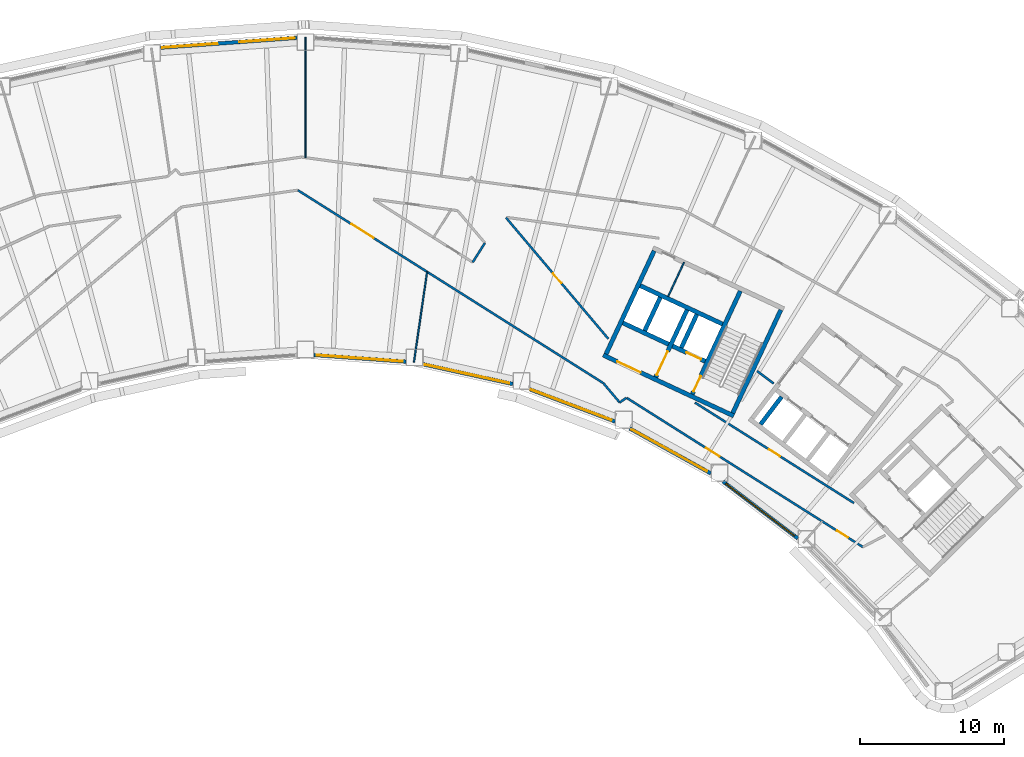
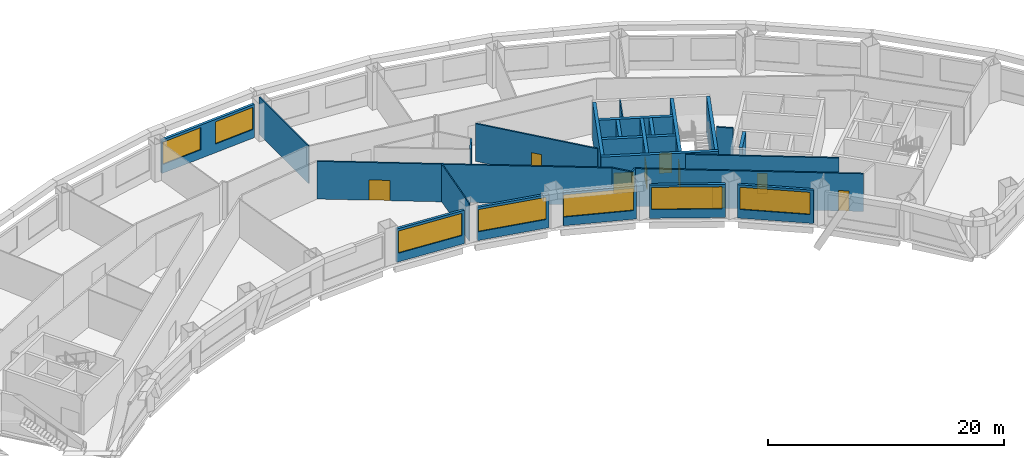
# One storey, part 5 of 10: 28 walls, 9 doors, 7 windows, 16 openings.
"""IFC4 building model written with IfcOpenShell, lengths in metres."""

from ifc_helpers import new_model, si_unit, direction, frame, frame_2d, origin, place, context, subcontext, project, spatial, rectangle, extrude, material, layer, layer_set, type_object, element, fill, save


model = new_model("IFC4")

# Units and contexts
model_context = context("Model", 3, precision=1e-05, world=origin(), true_north=direction((0.0, 1.0)))
body_context = subcontext(model_context, "Body", "Model", "MODEL_VIEW")
ifc_project = project(units=[si_unit("LENGTHUNIT", "METRE"), si_unit("AREAUNIT", "SQUARE_METRE"), si_unit("VOLUMEUNIT", "CUBIC_METRE"), si_unit("PLANEANGLEUNIT", "RADIAN"), si_unit("MASSUNIT", "GRAM", prefix="KILO")], contexts=[model_context])

# Site, building, storey
site_placement = place(None, origin())
site = spatial("IfcSite", under=ifc_project, at=site_placement, CompositionType="ELEMENT")
building_placement = place(site_placement, origin())
building = spatial("IfcBuilding", under=site, at=building_placement, Name="Tuul Gate Civic Tower", CompositionType="ELEMENT")
storey_placement = place(building_placement, frame((0.0, 0.0, 86.39990234375)))
storey = spatial("IfcBuildingStorey", under=building, at=storey_placement, Name="Level 19", CompositionType="ELEMENT", Elevation=86.39990234375)

# Wall, opening, door
ifc_material_1 = material(Name="Concrete C50/60", Category="concrete")
ifc_layer_1 = layer(ifc_material_1, 0.300048828125)
ifc_layer_set_1 = layer_set([ifc_layer_1], Name="Concrete C50/60")
wall_type_1 = type_object("IfcWallType", Name="Core wall C50/60", PredefinedType="SHEAR", material=ifc_layer_set_1)
wall_1_placement = place(storey_placement, frame((34.5283203125, -7.25, 0.0), z_axis=(0.0, 0.0, 1.0), x_axis=(-0.906310338845, 0.422612789327, 0.0)))
wall_1 = element("IfcWall", 1, at=wall_1_placement, inside=storey, type_object=wall_type_1, Name="Core wall", PredefinedType="SHEAR", context=body_context, shape_type="SweptSolid", body=[
    extrude(rectangle(XDim=9.999755859375, YDim=0.300048828125, at=frame_2d((5.0, 0.0))), origin(), (0.0, 0.0, 1.0), 3.900146484375),
])
opening_1_placement = place(wall_1_placement, frame((7.125, 0.0, 0.0)))
opening_1 = element("IfcOpeningElement", 2, at=opening_1_placement, cuts=wall_1, Name="Opening LB-E3-LOBBY-1", PredefinedType="OPENING", context=body_context, shape_type="SweptSolid", body=[
    extrude(rectangle(XDim=1.800048828125, YDim=2.10009765625, at=frame_2d((0.89990234375, 1.050048828125))), frame((0.0, 0.16015625, 0.0), z_axis=(0.0, -1.0, 0.0), x_axis=(1.0, 0.0, 0.0)), (0.0, 0.0, 1.0), 0.320068359375),
])
ifc_material_2 = material(Name="Steel", Category="steel")
door_type_1 = type_object("IfcDoorType", Name="Lobby door", OperationType="DOUBLE_DOOR_SINGLE_SWING", PredefinedType="DOOR", material=ifc_material_2)
door_1_placement = place(opening_1_placement, frame((1.800048828125, 0.0, 0.0), z_axis=(0.0, 0.0, 1.0), x_axis=(-1.0, 0.0, 0.0)))
door_1 = element("IfcDoor", 3, at=door_1_placement, inside=storey, type_object=door_type_1, Name="Lobby door E3-LOBBY", OperationType="DOUBLE_DOOR_SINGLE_SWING", OverallHeight=2.10009765625, OverallWidth=1.800048828125, PredefinedType="DOOR", context=body_context, shape_type="SweptSolid", body=[
    extrude(rectangle(XDim=1.800048828125, YDim=2.10009765625, at=frame_2d((0.900146484375, 1.050048828125))), frame((0.0, 0.02490234375, 0.0), z_axis=(0.0, -1.0, 0.0), x_axis=(1.0, 0.0, 0.0)), (0.0, 0.0, 1.0), 0.050048828125),
])
fill(opening_1, door_1)

wall_2_placement = place(storey_placement, frame((32.545654296875, -3.456787109375, 0.0), z_axis=(0.0, 0.0, 1.0), x_axis=(-0.906300357825, 0.42263419337, 0.0)))
wall_2 = element("IfcWall", 4, at=wall_2_placement, inside=storey, type_object=wall_type_1, Name="Core wall", PredefinedType="SHEAR", context=body_context, shape_type="SweptSolid", body=[
    extrude(rectangle(XDim=2.500244140625, YDim=0.300048828125, at=frame_2d((1.25, 0.0))), origin(), (0.0, 0.0, 1.0), 3.900146484375),
])
opening_2_placement = place(wall_2_placement, frame((0.324951171875, 0.0, 0.0)))
opening_2 = element("IfcOpeningElement", 5, at=opening_2_placement, cuts=wall_2, Name="Opening LD-FF-2", PredefinedType="OPENING", context=body_context, shape_type="SweptSolid", body=[
    extrude(rectangle(XDim=1.10009765625, YDim=2.10009765625, at=frame_2d((0.550048828125, 1.050048828125))), frame((0.0, 0.16015625, 0.0), z_axis=(0.0, -1.0, 0.0), x_axis=(1.0, 0.0, 0.0)), (0.0, 0.0, 1.0), 0.320068359375),
])
ifc_material_3 = material(Name="Stainless steel", Category="steel")
door_type_2 = type_object("IfcDoorType", Name="Landing door", OperationType="DOUBLE_DOOR_SLIDING", PredefinedType="DOOR", material=ifc_material_3)
door_2_placement = place(opening_2_placement, origin())
door_2 = element("IfcDoor", 6, at=door_2_placement, inside=storey, type_object=door_type_2, Name="Fire-fighting lift FF-2 landing door", OperationType="DOUBLE_DOOR_SLIDING", OverallHeight=2.10009765625, OverallWidth=1.10009765625, PredefinedType="DOOR", context=body_context, shape_type="SweptSolid", body=[
    extrude(rectangle(XDim=1.10009765625, YDim=2.10009765625, at=frame_2d((0.550048828125, 1.050048828125))), frame((0.0, 0.02490234375, 0.0), z_axis=(0.0, -1.0, 0.0), x_axis=(1.0, 0.0, 0.0)), (0.0, 0.0, 1.0), 0.050048828125),
])
fill(opening_2, door_2)

# Walls
wall_3_placement = place(storey_placement, frame((30.0078125, -2.2734375, 0.0), z_axis=(0.0, 0.0, 1.0), x_axis=(-0.90630071767, 0.422633421716, 0.0)))
element("IfcWall", 7, at=wall_3_placement, inside=storey, type_object=wall_type_1, Name="Core wall", PredefinedType="SHEAR", context=body_context, shape_type="SweptSolid", body=[
    extrude(rectangle(XDim=3.5, YDim=0.300048828125, at=frame_2d((1.75, 0.0))), origin(), (0.0, 0.0, 1.0), 3.900146484375),
])
wall_4_placement = place(storey_placement, frame((33.75, -0.873779296875, 0.0), z_axis=(0.0, 0.0, 1.0), x_axis=(-0.906300917592, 0.422632992999, 0.0)))
element("IfcWall", 8, at=wall_4_placement, inside=storey, type_object=wall_type_1, Name="Core wall", PredefinedType="SHEAR", context=body_context, shape_type="SweptSolid", body=[
    extrude(rectangle(XDim=6.300048828125, YDim=0.300048828125, at=frame_2d((3.14990234375, 0.0))), origin(), (0.0, 0.0, 1.0), 3.900146484375),
])
wall_5_placement = place(storey_placement, frame((34.455810546875, -7.05078125, 0.0), z_axis=(0.0, 0.0, 1.0), x_axis=(0.422570768258, 0.906329932096, 0.0)))
element("IfcWall", 9, at=wall_5_placement, inside=storey, type_object=wall_type_1, Name="Core wall", PredefinedType="SHEAR", context=body_context, shape_type="SweptSolid", body=[
    extrude(rectangle(XDim=7.900146484375, YDim=0.300048828125, at=frame_2d((3.9501953125, 0.0))), origin(), (0.0, 0.0, 1.0), 3.900146484375),
])

# Wall, opening, door
wall_6_placement = place(storey_placement, frame((31.646240234375, -5.740478515625, 0.0), z_axis=(0.0, 0.0, 1.0), x_axis=(0.422582604137, 0.906324413596, 0.0)))
wall_6 = element("IfcWall", 10, at=wall_6_placement, inside=storey, type_object=wall_type_1, Name="Core wall", PredefinedType="SHEAR", context=body_context, shape_type="SweptSolid", body=[
    extrude(rectangle(XDim=7.89990234375, YDim=0.300048828125, at=frame_2d((3.949951171875, 0.0))), origin(), (0.0, 0.0, 1.0), 3.900146484375),
])
opening_3_placement = place(wall_6_placement, frame((0.199951171875, 0.0, 0.0)))
opening_3 = element("IfcOpeningElement", 11, at=opening_3_placement, cuts=wall_6, Name="Opening SD-ST-4", PredefinedType="OPENING", context=body_context, shape_type="SweptSolid", body=[
    extrude(rectangle(XDim=1.199951171875, YDim=2.10009765625, at=frame_2d((0.60009765625, 1.050048828125))), frame((0.0, 0.16015625, 0.0), z_axis=(0.0, -1.0, 0.0), x_axis=(1.0, 0.0, 0.0)), (0.0, 0.0, 1.0), 0.320068359375),
])
ifc_material_4 = material(Name="Steel", Category="steel")
door_type_3 = type_object("IfcDoorType", Name="Stair door", OperationType="NOTDEFINED", PredefinedType="DOOR", material=ifc_material_4)
door_3_placement = place(opening_3_placement, origin())
door_3 = element("IfcDoor", 12, at=door_3_placement, inside=storey, type_object=door_type_3, Name="Stair door ST-4", OperationType="SINGLE_SWING_LEFT", OverallHeight=2.10009765625, OverallWidth=1.199951171875, PredefinedType="DOOR", context=body_context, shape_type="SweptSolid", body=[
    extrude(rectangle(XDim=1.199951171875, YDim=2.10009765625, at=frame_2d((0.60009765625, 1.050048828125))), frame((0.0, 0.02490234375, 0.0), z_axis=(0.0, -1.0, 0.0), x_axis=(1.0, 0.0, 0.0)), (0.0, 0.0, 1.0), 0.050048828125),
])
fill(opening_3, door_3)

# Wall
wall_7_placement = place(storey_placement, frame((30.886962890625, -2.517822265625, 0.0), z_axis=(0.0, 0.0, 1.0), x_axis=(0.422612891016, 0.906310291427, 0.0)))
element("IfcWall", 13, at=wall_7_placement, inside=storey, type_object=wall_type_1, Name="Core wall", PredefinedType="SHEAR", context=body_context, shape_type="SweptSolid", body=[
    extrude(rectangle(XDim=2.550048828125, YDim=0.300048828125, at=frame_2d((1.27490234375, 0.0))), origin(), (0.0, 0.0, 1.0), 3.900146484375),
])

# Wall, opening, door
wall_8_placement = place(storey_placement, frame((29.108642578125, -4.557373046875, 0.0), z_axis=(0.0, 0.0, 1.0), x_axis=(0.422566235356, 0.90633204552, 0.0)))
wall_8 = element("IfcWall", 14, at=wall_8_placement, inside=storey, type_object=wall_type_1, Name="Core wall", PredefinedType="SHEAR", context=body_context, shape_type="SweptSolid", body=[
    extrude(rectangle(XDim=5.150146484375, YDim=0.300048828125, at=frame_2d((2.5751953125, 0.0))), origin(), (0.0, 0.0, 1.0), 3.900146484375),
])
opening_4_placement = place(wall_8_placement, frame((0.175048828125, 0.0, 0.0)))
opening_4 = element("IfcOpeningElement", 15, at=opening_4_placement, cuts=wall_8, Name="Opening LB-E3-FLOBBY-1", PredefinedType="OPENING", context=body_context, shape_type="SweptSolid", body=[
    extrude(rectangle(XDim=1.800048828125, YDim=2.10009765625, at=frame_2d((0.89990234375, 1.050048828125))), frame((0.0, 0.16015625, 0.0), z_axis=(0.0, -1.0, 0.0), x_axis=(1.0, 0.0, 0.0)), (0.0, 0.0, 1.0), 0.320068359375),
])
door_4_placement = place(opening_4_placement, frame((1.800048828125, 0.0, 0.0), z_axis=(0.0, 0.0, 1.0), x_axis=(-1.0, 0.0, 0.0)))
door_4 = element("IfcDoor", 16, at=door_4_placement, inside=storey, type_object=door_type_1, Name="Lobby door E3-FLOBBY", OperationType="DOUBLE_DOOR_SINGLE_SWING", OverallHeight=2.10009765625, OverallWidth=1.800048828125, PredefinedType="DOOR", context=body_context, shape_type="SweptSolid", body=[
    extrude(rectangle(XDim=1.800048828125, YDim=2.10009765625, at=frame_2d((0.900146484375, 1.050048828125))), frame((0.0, 0.02490234375, 0.0), z_axis=(0.0, -1.0, 0.0), x_axis=(1.0, 0.0, 0.0)), (0.0, 0.0, 1.0), 0.050048828125),
])
fill(opening_4, door_4)

# Walls
wall_9_placement = place(storey_placement, frame((28.349365234375, -1.33447265625, 0.0), z_axis=(0.0, 0.0, 1.0), x_axis=(0.422612891016, 0.906310291427, 0.0)))
element("IfcWall", 17, at=wall_9_placement, inside=storey, type_object=wall_type_1, Name="Core wall", PredefinedType="SHEAR", context=body_context, shape_type="SweptSolid", body=[
    extrude(rectangle(XDim=2.550048828125, YDim=0.300048828125, at=frame_2d((1.27490234375, 0.0))), origin(), (0.0, 0.0, 1.0), 3.900146484375),
])
wall_10_placement = place(storey_placement, frame((25.66455078125, -2.951416015625, 0.0), z_axis=(0.0, 0.0, 1.0), x_axis=(0.422582604137, 0.906324413596, 0.0)))
element("IfcWall", 18, at=wall_10_placement, inside=storey, type_object=wall_type_1, Name="Core wall", PredefinedType="SHEAR", context=body_context, shape_type="SweptSolid", body=[
    extrude(rectangle(XDim=7.89990234375, YDim=0.300048828125, at=frame_2d((3.949951171875, 0.0))), origin(), (0.0, 0.0, 1.0), 3.900146484375),
])

# Wall, opening, door
ifc_material_5 = material(Name="Gypsum board partition")
ifc_layer_2 = layer(ifc_material_5, 0.14990234375)
ifc_layer_set_2 = layer_set([ifc_layer_2], Name="Gypsum board partition")
wall_type_2 = type_object("IfcWallType", Name="Corridor wall P150", PredefinedType="PARTITIONING", material=ifc_layer_set_2)
wall_11_placement = place(storey_placement, frame((18.71923828125, 6.51220703125, 0.0), z_axis=(0.0, 0.0, 1.0), x_axis=(0.645325771853, -0.763907486665, 0.0)))
wall_11 = element("IfcWall", 19, at=wall_11_placement, inside=storey, type_object=wall_type_2, Name="p016", PredefinedType="PARTITIONING", context=body_context, shape_type="SweptSolid", body=[
    extrude(rectangle(XDim=11.0107421875, YDim=0.14990234375, at=frame_2d((5.50537109375, 0.0))), origin(), (0.0, 0.0, 1.0), 3.900146484375),
])
opening_5_placement = place(wall_11_placement, frame((5.055419921875, 0.0, 0.0)))
opening_5 = element("IfcOpeningElement", 20, at=opening_5_placement, cuts=wall_11, Name="Opening F-D19", PredefinedType="OPENING", context=body_context, shape_type="SweptSolid", body=[
    extrude(rectangle(XDim=0.89990234375, YDim=2.10009765625, at=frame_2d((0.449951171875, 1.050048828125))), frame((0.0, 0.0849609375, 0.0), z_axis=(0.0, -1.0, 0.0), x_axis=(1.0, 0.0, 0.0)), (0.0, 0.0, 1.0), 0.169921875),
])
ifc_material_6 = material(Name="Timber door leaf", Category="wood")
door_type_4 = type_object("IfcDoorType", Name="Door D09", OperationType="NOTDEFINED", PredefinedType="DOOR", material=ifc_material_6)
door_5_placement = place(opening_5_placement, origin())
door_5 = element("IfcDoor", 21, at=door_5_placement, inside=storey, type_object=door_type_4, Name="Door F-D19", OperationType="SINGLE_SWING_RIGHT", OverallHeight=2.10009765625, OverallWidth=0.89990234375, PredefinedType="DOOR", context=body_context, shape_type="SweptSolid", body=[
    extrude(rectangle(XDim=0.89990234375, YDim=2.10009765625, at=frame_2d((0.449951171875, 1.050048828125))), frame((0.0, 0.02490234375, 0.0), z_axis=(0.0, -1.0, 0.0), x_axis=(1.0, 0.0, 0.0)), (0.0, 0.0, 1.0), 0.050048828125),
])
fill(opening_5, door_5)

wall_12_placement = place(storey_placement, frame((4.27490234375, 8.418212890625, 0.0), z_axis=(0.0, 0.0, 1.0), x_axis=(0.845516906365, -0.5339486502, 0.0)))
wall_12 = element("IfcWall", 22, at=wall_12_placement, inside=storey, type_object=wall_type_2, Name="p036", PredefinedType="PARTITIONING", context=body_context, shape_type="SweptSolid", body=[
    extrude(rectangle(XDim=25.066162109375, YDim=0.14990234375, at=frame_2d((12.533203125, 0.0))), origin(), (0.0, 0.0, 1.0), 3.900146484375),
])
opening_6_placement = place(wall_12_placement, frame((4.405517578125, 0.0, 0.0)))
opening_6 = element("IfcOpeningElement", 23, at=opening_6_placement, cuts=wall_12, Name="Opening F-D14", PredefinedType="OPENING", context=body_context, shape_type="SweptSolid", body=[
    extrude(rectangle(XDim=1.800048828125, YDim=2.10009765625, at=frame_2d((0.89990234375, 1.050048828125))), frame((0.0, 0.0849609375, 0.0), z_axis=(0.0, -1.0, 0.0), x_axis=(1.0, 0.0, 0.0)), (0.0, 0.0, 1.0), 0.169921875),
])
ifc_material_7 = material(Name="Timber door leaf, double", Category="wood")
door_type_5 = type_object("IfcDoorType", Name="Door D18", OperationType="DOUBLE_DOOR_SINGLE_SWING", PredefinedType="DOOR", material=ifc_material_7)
door_6_placement = place(opening_6_placement, frame((1.800048828125, 0.0, 0.0), z_axis=(0.0, 0.0, 1.0), x_axis=(-1.0, 0.0, 0.0)))
door_6 = element("IfcDoor", 24, at=door_6_placement, inside=storey, type_object=door_type_5, Name="Door F-D14", OperationType="DOUBLE_DOOR_SINGLE_SWING", OverallHeight=2.10009765625, OverallWidth=1.800048828125, PredefinedType="DOOR", context=body_context, shape_type="SweptSolid", body=[
    extrude(rectangle(XDim=1.800048828125, YDim=2.10009765625, at=frame_2d((0.900146484375, 1.050048828125))), frame((0.0, 0.02490234375, 0.0), z_axis=(0.0, -1.0, 0.0), x_axis=(1.0, 0.0, 0.0)), (0.0, 0.0, 1.0), 0.050048828125),
])
fill(opening_6, door_6)

# Wall, openings, doors
wall_13_placement = place(storey_placement, frame((27.0966796875, -5.993896484375, 0.0), z_axis=(0.0, 0.0, 1.0), x_axis=(0.845518831445, -0.533945601791, 0.0)))
wall_13 = element("IfcWall", 25, at=wall_13_placement, inside=storey, type_object=wall_type_2, Name="p037", PredefinedType="PARTITIONING", context=body_context, shape_type="SweptSolid", body=[
    extrude(rectangle(XDim=19.38330078125, YDim=0.14990234375, at=frame_2d((9.691650390625, 0.0))), origin(), (0.0, 0.0, 1.0), 3.900146484375),
])
opening_7_placement = place(wall_13_placement, frame((17.2646484375, 0.0, 0.0)))
opening_7 = element("IfcOpeningElement", 26, at=opening_7_placement, cuts=wall_13, Name="Opening F-D12", PredefinedType="OPENING", context=body_context, shape_type="SweptSolid", body=[
    extrude(rectangle(XDim=0.89990234375, YDim=2.10009765625, at=frame_2d((0.449951171875, 1.050048828125))), frame((0.0, 0.0849609375, 0.0), z_axis=(0.0, -1.0, 0.0), x_axis=(1.0, 0.0, 0.0)), (0.0, 0.0, 1.0), 0.169921875),
])
opening_8_placement = place(wall_13_placement, frame((6.52294921875, 0.0, 0.0)))
opening_8 = element("IfcOpeningElement", 27, at=opening_8_placement, cuts=wall_13, Name="Opening F-D13", PredefinedType="OPENING", context=body_context, shape_type="SweptSolid", body=[
    extrude(rectangle(XDim=1.10009765625, YDim=2.10009765625, at=frame_2d((0.550048828125, 1.050048828125))), frame((0.0, 0.0849609375, 0.0), z_axis=(0.0, -1.0, 0.0), x_axis=(1.0, 0.0, 0.0)), (0.0, 0.0, 1.0), 0.169921875),
])
door_7_placement = place(opening_7_placement, frame((0.89990234375, 0.0, 0.0), z_axis=(0.0, 0.0, 1.0), x_axis=(-1.0, 0.0, 0.0)))
door_7 = element("IfcDoor", 28, at=door_7_placement, inside=storey, type_object=door_type_4, Name="Door F-D12", OperationType="SINGLE_SWING_RIGHT", OverallHeight=2.10009765625, OverallWidth=0.89990234375, PredefinedType="DOOR", context=body_context, shape_type="SweptSolid", body=[
    extrude(rectangle(XDim=0.89990234375, YDim=2.10009765625, at=frame_2d((0.449951171875, 1.050048828125))), frame((0.0, 0.02490234375, 0.0), z_axis=(0.0, -1.0, 0.0), x_axis=(1.0, 0.0, 0.0)), (0.0, 0.0, 1.0), 0.050048828125),
])
fill(opening_7, door_7)
ifc_material_8 = material(Name="Timber door leaf", Category="wood")
door_type_6 = type_object("IfcDoorType", Name="Door D11", OperationType="NOTDEFINED", PredefinedType="DOOR", material=ifc_material_8)
door_8_placement = place(opening_8_placement, origin())
door_8 = element("IfcDoor", 29, at=door_8_placement, inside=storey, type_object=door_type_6, Name="Door F-D13", OperationType="SINGLE_SWING_RIGHT", OverallHeight=2.10009765625, OverallWidth=1.10009765625, PredefinedType="DOOR", context=body_context, shape_type="SweptSolid", body=[
    extrude(rectangle(XDim=1.10009765625, YDim=2.10009765625, at=frame_2d((0.550048828125, 1.050048828125))), frame((0.0, 0.02490234375, 0.0), z_axis=(0.0, -1.0, 0.0), x_axis=(1.0, 0.0, 0.0)), (0.0, 0.0, 1.0), 0.050048828125),
])
fill(opening_8, door_8)

# Walls
wall_14_placement = place(storey_placement, frame((25.473388671875, -4.969970703125, 0.0), z_axis=(0.0, 0.0, 1.0), x_axis=(0.645326532982, -0.763906843685, 0.0)))
element("IfcWall", 30, at=wall_14_placement, inside=storey, type_object=wall_type_2, Name="p040", PredefinedType="PARTITIONING", context=body_context, shape_type="SweptSolid", body=[
    extrude(rectangle(XDim=1.76025390625, YDim=0.14990234375, at=frame_2d((0.880126953125, 0.0))), origin(), (0.0, 0.0, 1.0), 3.900146484375),
])
wall_15_placement = place(storey_placement, frame((26.610107421875, -6.314697265625, 0.0), z_axis=(0.0, 0.0, 1.0), x_axis=(0.823296444499, 0.56761163173, 0.0)))
element("IfcWall", 31, at=wall_15_placement, inside=storey, type_object=wall_type_2, Name="p041", PredefinedType="PARTITIONING", context=body_context, shape_type="SweptSolid", body=[
    extrude(rectangle(XDim=0.564208984375, YDim=0.14990234375, at=frame_2d((0.2822265625, 0.0))), origin(), (0.0, 0.0, 1.0), 3.900146484375),
])
wall_16_placement = place(storey_placement, frame((16.41162109375, 3.414794921875, 0.0), z_axis=(0.0, 0.0, 1.0), x_axis=(0.533882906969, 0.845558420008, 0.0)))
element("IfcWall", 32, at=wall_16_placement, inside=storey, type_object=wall_type_2, Name="p050", PredefinedType="PARTITIONING", context=body_context, shape_type="SweptSolid", body=[
    extrude(rectangle(XDim=1.58544921875, YDim=0.14990234375, at=frame_2d((0.792724609375, 0.0))), origin(), (0.0, 0.0, 1.0), 3.900146484375),
])

# Wall, opening, door
wall_17_placement = place(storey_placement, frame((31.836181640625, -6.32568359375, 0.0), z_axis=(0.0, 0.0, 1.0), x_axis=(0.845516019535, -0.533950054509, 0.0)))
wall_17 = element("IfcWall", 33, at=wall_17_placement, inside=storey, type_object=wall_type_2, Name="p052", PredefinedType="PARTITIONING", context=body_context, shape_type="SweptSolid", body=[
    extrude(rectangle(XDim=13.050048828125, YDim=0.14990234375, at=frame_2d((6.52490234375, 0.0))), origin(), (0.0, 0.0, 1.0), 3.900146484375),
])
opening_9_placement = place(wall_17_placement, frame((6.074951171875, 0.0, 0.0)))
opening_9 = element("IfcOpeningElement", 34, at=opening_9_placement, cuts=wall_17, Name="Opening F-D18", PredefinedType="OPENING", context=body_context, shape_type="SweptSolid", body=[
    extrude(rectangle(XDim=0.89990234375, YDim=2.10009765625, at=frame_2d((0.449951171875, 1.050048828125))), frame((0.0, 0.0849609375, 0.0), z_axis=(0.0, -1.0, 0.0), x_axis=(1.0, 0.0, 0.0)), (0.0, 0.0, 1.0), 0.169921875),
])
door_9_placement = place(opening_9_placement, frame((0.89990234375, 0.0, 0.0), z_axis=(0.0, 0.0, 1.0), x_axis=(-1.0, 0.0, 0.0)))
door_9 = element("IfcDoor", 35, at=door_9_placement, inside=storey, type_object=door_type_4, Name="Door F-D18", OperationType="SINGLE_SWING_LEFT", OverallHeight=2.10009765625, OverallWidth=0.89990234375, PredefinedType="DOOR", context=body_context, shape_type="SweptSolid", body=[
    extrude(rectangle(XDim=0.89990234375, YDim=2.10009765625, at=frame_2d((0.449951171875, 1.050048828125))), frame((0.0, 0.02490234375, 0.0), z_axis=(0.0, -1.0, 0.0), x_axis=(1.0, 0.0, 0.0)), (0.0, 0.0, 1.0), 0.050048828125),
])
fill(opening_9, door_9)

# Wall
wall_18_placement = place(storey_placement, frame((36.147705078125, -4.13330078125, 0.0), z_axis=(0.0, 0.0, 1.0), x_axis=(0.798976694108, -0.601361989382, 0.0)))
element("IfcWall", 36, at=wall_18_placement, inside=storey, type_object=wall_type_2, Name="p054", PredefinedType="PARTITIONING", context=body_context, shape_type="SweptSolid", body=[
    extrude(rectangle(XDim=1.43310546875, YDim=0.14990234375, at=frame_2d((0.716552734375, 0.0))), origin(), (0.0, 0.0, 1.0), 3.900146484375),
])

# Wall, openings, windows
ifc_material_9 = material(Name="Precast concrete C40/50", Category="concrete")
ifc_layer_3 = layer(ifc_material_9, 0.25)
ifc_layer_set_3 = layer_set([ifc_layer_3], Name="Precast concrete C40/50")
wall_type_3 = type_object("IfcWallType", Name="External wall", PredefinedType="STANDARD", material=ifc_layer_set_3)
wall_19_placement = place(storey_placement, frame((4.2080078125, 18.9892578125, 0.0), z_axis=(0.0, 0.0, 1.0), x_axis=(-0.997387702814, -0.072234135106, 0.0)))
wall_19 = element("IfcWall", 37, at=wall_19_placement, inside=storey, type_object=wall_type_3, Name="External wall", PredefinedType="STANDARD", context=body_context, shape_type="SweptSolid", body=[
    extrude(rectangle(XDim=9.4736328125, YDim=0.25, at=frame_2d((4.73681640625, 0.0))), origin(), (0.0, 0.0, 1.0), 3.4501953125),
])
opening_10_placement = place(wall_19_placement, frame((0.14990234375, 0.0, 0.89990234375)))
opening_10 = element("IfcOpeningElement", 38, at=opening_10_placement, cuts=wall_19, Name="Opening W22", PredefinedType="OPENING", context=body_context, shape_type="SweptSolid", body=[
    extrude(rectangle(XDim=3.85009765625, YDim=2.300048828125, at=frame_2d((1.925048828125, 1.14990234375))), frame((0.0, 0.135009765625, 0.0), z_axis=(0.0, -1.0, 0.0), x_axis=(1.0, 0.0, 0.0)), (0.0, 0.0, 1.0), 0.27001953125),
])
opening_11_placement = place(wall_19_placement, frame((5.52099609375, 0.0, 0.89990234375)))
opening_11 = element("IfcOpeningElement", 39, at=opening_11_placement, cuts=wall_19, Name="Opening W22", PredefinedType="OPENING", context=body_context, shape_type="SweptSolid", body=[
    extrude(rectangle(XDim=3.85009765625, YDim=2.300048828125, at=frame_2d((1.925048828125, 1.14990234375))), frame((0.0, 0.135009765625, 0.0), z_axis=(0.0, -1.0, 0.0), x_axis=(1.0, 0.0, 0.0)), (0.0, 0.0, 1.0), 0.27001953125),
])
ifc_material_10 = material(Name="Glass", Category="glass")
window_type_1 = type_object("IfcWindowType", Name="Window W22 3850 x 2300", PartitioningType="SINGLE_PANEL", PredefinedType="WINDOW", material=ifc_material_10)
window_1_placement = place(opening_10_placement, origin())
window_1 = element("IfcWindow", 40, at=window_1_placement, inside=storey, type_object=window_type_1, Name="Window", OverallHeight=2.300048828125, OverallWidth=3.85009765625, PartitioningType="SINGLE_PANEL", PredefinedType="WINDOW", context=body_context, shape_type="SweptSolid", body=[
    extrude(rectangle(XDim=3.85009765625, YDim=2.300048828125, at=frame_2d((1.925048828125, 1.14990234375))), frame((0.0, 0.030029296875, 0.0), z_axis=(0.0, -1.0, 0.0), x_axis=(1.0, 0.0, 0.0)), (0.0, 0.0, 1.0), 0.06005859375),
])
fill(opening_10, window_1)
window_2_placement = place(opening_11_placement, origin())
window_2 = element("IfcWindow", 41, at=window_2_placement, inside=storey, type_object=window_type_1, Name="Window", OverallHeight=2.300048828125, OverallWidth=3.85009765625, PartitioningType="SINGLE_PANEL", PredefinedType="WINDOW", context=body_context, shape_type="SweptSolid", body=[
    extrude(rectangle(XDim=3.85009765625, YDim=2.300048828125, at=frame_2d((1.925048828125, 1.14990234375))), frame((0.0, 0.030029296875, 0.0), z_axis=(0.0, -1.0, 0.0), x_axis=(1.0, 0.0, 0.0)), (0.0, 0.0, 1.0), 0.06005859375),
])
fill(opening_11, window_2)

# Wall, opening, window
wall_20_placement = place(storey_placement, frame((5.407958984375, -3.01806640625, 0.0), z_axis=(0.0, 0.0, 1.0), x_axis=(0.997382879348, -0.072300705277, 0.0)))
wall_20 = element("IfcWall", 42, at=wall_20_placement, inside=storey, type_object=wall_type_3, Name="External wall", PredefinedType="STANDARD", context=body_context, shape_type="SweptSolid", body=[
    extrude(rectangle(XDim=6.388671875, YDim=0.25, at=frame_2d((3.1943359375, 0.0))), origin(), (0.0, 0.0, 1.0), 3.4501953125),
])
opening_12_placement = place(wall_20_placement, frame((0.1708984375, 0.0, 0.89990234375)))
opening_12 = element("IfcOpeningElement", 43, at=opening_12_placement, cuts=wall_20, Name="Opening W26", PredefinedType="OPENING", context=body_context, shape_type="SweptSolid", body=[
    extrude(rectangle(XDim=6.0, YDim=2.300048828125, at=frame_2d((3.0, 1.14990234375))), frame((0.0, 0.135009765625, 0.0), z_axis=(0.0, -1.0, 0.0), x_axis=(1.0, 0.0, 0.0)), (0.0, 0.0, 1.0), 0.27001953125),
])
ifc_material_11 = material(Name="Glass", Category="glass")
window_type_2 = type_object("IfcWindowType", Name="Window W26 6000 x 2300", PartitioningType="SINGLE_PANEL", PredefinedType="WINDOW", material=ifc_material_11)
window_3_placement = place(opening_12_placement, origin())
window_3 = element("IfcWindow", 44, at=window_3_placement, inside=storey, type_object=window_type_2, Name="Window", OverallHeight=2.300048828125, OverallWidth=6.0, PartitioningType="SINGLE_PANEL", PredefinedType="WINDOW", context=body_context, shape_type="SweptSolid", body=[
    extrude(rectangle(XDim=6.0, YDim=2.300048828125, at=frame_2d((3.0, 1.14990234375))), frame((0.0, 0.030029296875, 0.0), z_axis=(0.0, -1.0, 0.0), x_axis=(1.0, 0.0, 0.0)), (0.0, 0.0, 1.0), 0.06005859375),
])
fill(opening_12, window_3)

wall_21_placement = place(storey_placement, frame((12.97998046875, -3.66259765625, 0.0), z_axis=(0.0, 0.0, 1.0), x_axis=(0.97656114485, -0.215240169041, 0.0)))
wall_21 = element("IfcWall", 45, at=wall_21_placement, inside=storey, type_object=wall_type_3, Name="External wall", PredefinedType="STANDARD", context=body_context, shape_type="SweptSolid", body=[
    extrude(rectangle(XDim=6.36328125, YDim=0.25, at=frame_2d((3.181640625, 0.0))), origin(), (0.0, 0.0, 1.0), 3.4501953125),
])
opening_13_placement = place(wall_21_placement, frame((0.10986328125, 0.0, 0.89990234375)))
opening_13 = element("IfcOpeningElement", 46, at=opening_13_placement, cuts=wall_21, Name="Opening W26", PredefinedType="OPENING", context=body_context, shape_type="SweptSolid", body=[
    extrude(rectangle(XDim=6.0, YDim=2.300048828125, at=frame_2d((3.0, 1.14990234375))), frame((0.0, 0.135009765625, 0.0), z_axis=(0.0, -1.0, 0.0), x_axis=(1.0, 0.0, 0.0)), (0.0, 0.0, 1.0), 0.27001953125),
])
window_4_placement = place(opening_13_placement, origin())
window_4 = element("IfcWindow", 47, at=window_4_placement, inside=storey, type_object=window_type_2, Name="Window", OverallHeight=2.300048828125, OverallWidth=6.0, PartitioningType="SINGLE_PANEL", PredefinedType="WINDOW", context=body_context, shape_type="SweptSolid", body=[
    extrude(rectangle(XDim=6.0, YDim=2.300048828125, at=frame_2d((3.0, 1.14990234375))), frame((0.0, 0.030029296875, 0.0), z_axis=(0.0, -1.0, 0.0), x_axis=(1.0, 0.0, 0.0)), (0.0, 0.0, 1.0), 0.06005859375),
])
fill(opening_13, window_4)

wall_22_placement = place(storey_placement, frame((20.39404296875, -5.406005859375, 0.0), z_axis=(0.0, 0.0, 1.0), x_axis=(0.935355477431, -0.353709104829, 0.0)))
wall_22 = element("IfcWall", 48, at=wall_22_placement, inside=storey, type_object=wall_type_3, Name="External wall", PredefinedType="STANDARD", context=body_context, shape_type="SweptSolid", body=[
    extrude(rectangle(XDim=6.30859375, YDim=0.25, at=frame_2d((3.154296875, 0.0))), origin(), (0.0, 0.0, 1.0), 3.4501953125),
])
opening_14_placement = place(wall_22_placement, frame((0.03125, 0.0, 0.89990234375)))
opening_14 = element("IfcOpeningElement", 49, at=opening_14_placement, cuts=wall_22, Name="Opening W26", PredefinedType="OPENING", context=body_context, shape_type="SweptSolid", body=[
    extrude(rectangle(XDim=6.0, YDim=2.300048828125, at=frame_2d((3.0, 1.14990234375))), frame((0.0, 0.135009765625, 0.0), z_axis=(0.0, -1.0, 0.0), x_axis=(1.0, 0.0, 0.0)), (0.0, 0.0, 1.0), 0.27001953125),
])
window_5_placement = place(opening_14_placement, origin())
window_5 = element("IfcWindow", 50, at=window_5_placement, inside=storey, type_object=window_type_2, Name="Window", OverallHeight=2.300048828125, OverallWidth=6.0, PartitioningType="SINGLE_PANEL", PredefinedType="WINDOW", context=body_context, shape_type="SweptSolid", body=[
    extrude(rectangle(XDim=6.0, YDim=2.300048828125, at=frame_2d((3.0, 1.14990234375))), frame((0.0, 0.030029296875, 0.0), z_axis=(0.0, -1.0, 0.0), x_axis=(1.0, 0.0, 0.0)), (0.0, 0.0, 1.0), 0.06005859375),
])
fill(opening_14, window_5)

wall_23_placement = place(storey_placement, frame((27.307373046875, -8.116943359375, 0.0), z_axis=(0.0, 0.0, 1.0), x_axis=(0.874625787744, -0.484798650384, 0.0)))
wall_23 = element("IfcWall", 51, at=wall_23_placement, inside=storey, type_object=wall_type_3, Name="External wall", PredefinedType="STANDARD", context=body_context, shape_type="SweptSolid", body=[
    extrude(rectangle(XDim=6.434326171875, YDim=0.25, at=frame_2d((3.21728515625, 0.0))), origin(), (0.0, 0.0, 1.0), 3.4501953125),
])
opening_15_placement = place(wall_23_placement, frame((0.143798828125, 0.0, 0.89990234375)))
opening_15 = element("IfcOpeningElement", 52, at=opening_15_placement, cuts=wall_23, Name="Opening W26", PredefinedType="OPENING", context=body_context, shape_type="SweptSolid", body=[
    extrude(rectangle(XDim=6.0, YDim=2.300048828125, at=frame_2d((3.0, 1.14990234375))), frame((0.0, 0.135009765625, 0.0), z_axis=(0.0, -1.0, 0.0), x_axis=(1.0, 0.0, 0.0)), (0.0, 0.0, 1.0), 0.27001953125),
])
window_6_placement = place(opening_15_placement, origin())
window_6 = element("IfcWindow", 53, at=window_6_placement, inside=storey, type_object=window_type_2, Name="Window", OverallHeight=2.300048828125, OverallWidth=6.0, PartitioningType="SINGLE_PANEL", PredefinedType="WINDOW", context=body_context, shape_type="SweptSolid", body=[
    extrude(rectangle(XDim=6.0, YDim=2.300048828125, at=frame_2d((3.0, 1.14990234375))), frame((0.0, 0.030029296875, 0.0), z_axis=(0.0, -1.0, 0.0), x_axis=(1.0, 0.0, 0.0)), (0.0, 0.0, 1.0), 0.06005859375),
])
fill(opening_15, window_6)

wall_24_placement = place(storey_placement, frame((33.785888671875, -11.797119140625, 0.0), z_axis=(0.0, 0.0, 1.0), x_axis=(0.795581202254, -0.605846969639, 0.0)))
wall_24 = element("IfcWall", 54, at=wall_24_placement, inside=storey, type_object=wall_type_3, Name="External wall", PredefinedType="STANDARD", context=body_context, shape_type="SweptSolid", body=[
    extrude(rectangle(XDim=6.5224609375, YDim=0.25, at=frame_2d((3.26123046875, 0.0))), origin(), (0.0, 0.0, 1.0), 3.4501953125),
])
opening_16_placement = place(wall_24_placement, frame((0.232666015625, 0.0, 0.89990234375)))
opening_16 = element("IfcOpeningElement", 55, at=opening_16_placement, cuts=wall_24, Name="Opening W26", PredefinedType="OPENING", context=body_context, shape_type="SweptSolid", body=[
    extrude(rectangle(XDim=6.0, YDim=2.300048828125, at=frame_2d((3.0, 1.14990234375))), frame((0.0, 0.135009765625, 0.0), z_axis=(0.0, -1.0, 0.0), x_axis=(1.0, 0.0, 0.0)), (0.0, 0.0, 1.0), 0.27001953125),
])
window_7_placement = place(opening_16_placement, origin())
window_7 = element("IfcWindow", 56, at=window_7_placement, inside=storey, type_object=window_type_2, Name="Window", OverallHeight=2.300048828125, OverallWidth=6.0, PartitioningType="SINGLE_PANEL", PredefinedType="WINDOW", context=body_context, shape_type="SweptSolid", body=[
    extrude(rectangle(XDim=6.0, YDim=2.300048828125, at=frame_2d((3.0, 1.14990234375))), frame((0.0, 0.030029296875, 0.0), z_axis=(0.0, -1.0, 0.0), x_axis=(1.0, 0.0, 0.0)), (0.0, 0.0, 1.0), 0.06005859375),
])
fill(opening_16, window_7)

# Walls
ifc_material_12 = material(Name="Concrete C40/50", Category="concrete")
ifc_layer_4 = layer(ifc_material_12, 0.300048828125)
ifc_layer_set_4 = layer_set([ifc_layer_4], Name="Concrete C40/50")
wall_type_4 = type_object("IfcWallType", Name="Lift shaft wall C40/50", PredefinedType="STANDARD", material=ifc_layer_set_4)
wall_25_placement = place(storey_placement, frame((36.389892578125, -7.832275390625, 0.0), z_axis=(0.0, 0.0, 1.0), x_axis=(0.605745892068, 0.79565816419, 0.0)))
element("IfcWall", 57, at=wall_25_placement, inside=storey, type_object=wall_type_4, Name="Shaft wall", PredefinedType="STANDARD", context=body_context, shape_type="SweptSolid", body=[
    extrude(rectangle(XDim=2.400146484375, YDim=0.300048828125, at=frame_2d((1.2001953125, 0.0))), origin(), (0.0, 0.0, 1.0), 3.900146484375),
])
ifc_material_13 = material(Name="Gypsum board partition")
ifc_layer_5 = layer(ifc_material_13, 0.10009765625)
ifc_layer_set_5 = layer_set([ifc_layer_5], Name="Gypsum board partition")
wall_type_5 = type_object("IfcWallType", Name="Partition P100", PredefinedType="PARTITIONING", material=ifc_layer_set_5)
wall_26_placement = place(storey_placement, frame((12.33251953125, -3.52490234375, 0.0), z_axis=(0.0, 0.0, 1.0), x_axis=(0.144093341329, 0.989564100493, 0.0)))
element("IfcWall", 58, at=wall_26_placement, inside=storey, type_object=wall_type_5, Name="p013", PredefinedType="PARTITIONING", context=body_context, shape_type="SweptSolid", body=[
    extrude(rectangle(XDim=6.343505859375, YDim=0.10009765625, at=frame_2d((3.171875, 0.0))), origin(), (0.0, 0.0, 1.0), 3.900146484375),
])
wall_27_placement = place(storey_placement, frame((4.808349609375, 10.676513671875, 0.0), z_axis=(0.0, 0.0, 1.0), x_axis=(0.0, 1.0, 0.0)))
element("IfcWall", 59, at=wall_27_placement, inside=storey, type_object=wall_type_5, Name="p018", PredefinedType="PARTITIONING", context=body_context, shape_type="SweptSolid", body=[
    extrude(rectangle(XDim=8.361083984375, YDim=0.10009765625, at=frame_2d((4.1806640625, 0.0))), origin(), (0.0, 0.0, 1.0), 3.900146484375),
])
wall_28_placement = place(storey_placement, frame((29.972900390625, 1.052978515625, 0.0), z_axis=(0.0, 0.0, 1.0), x_axis=(0.422556439746, 0.906336612539, 0.0)))
element("IfcWall", 60, at=wall_28_placement, inside=storey, type_object=wall_type_5, Name="bE3-BAND-0", PredefinedType="PARTITIONING", context=body_context, shape_type="SweptSolid", body=[
    extrude(rectangle(XDim=2.599853515625, YDim=0.10009765625, at=frame_2d((1.2998046875, 0.0))), origin(), (0.0, 0.0, 1.0), 3.900146484375),
])

save(model, "model.ifc")
